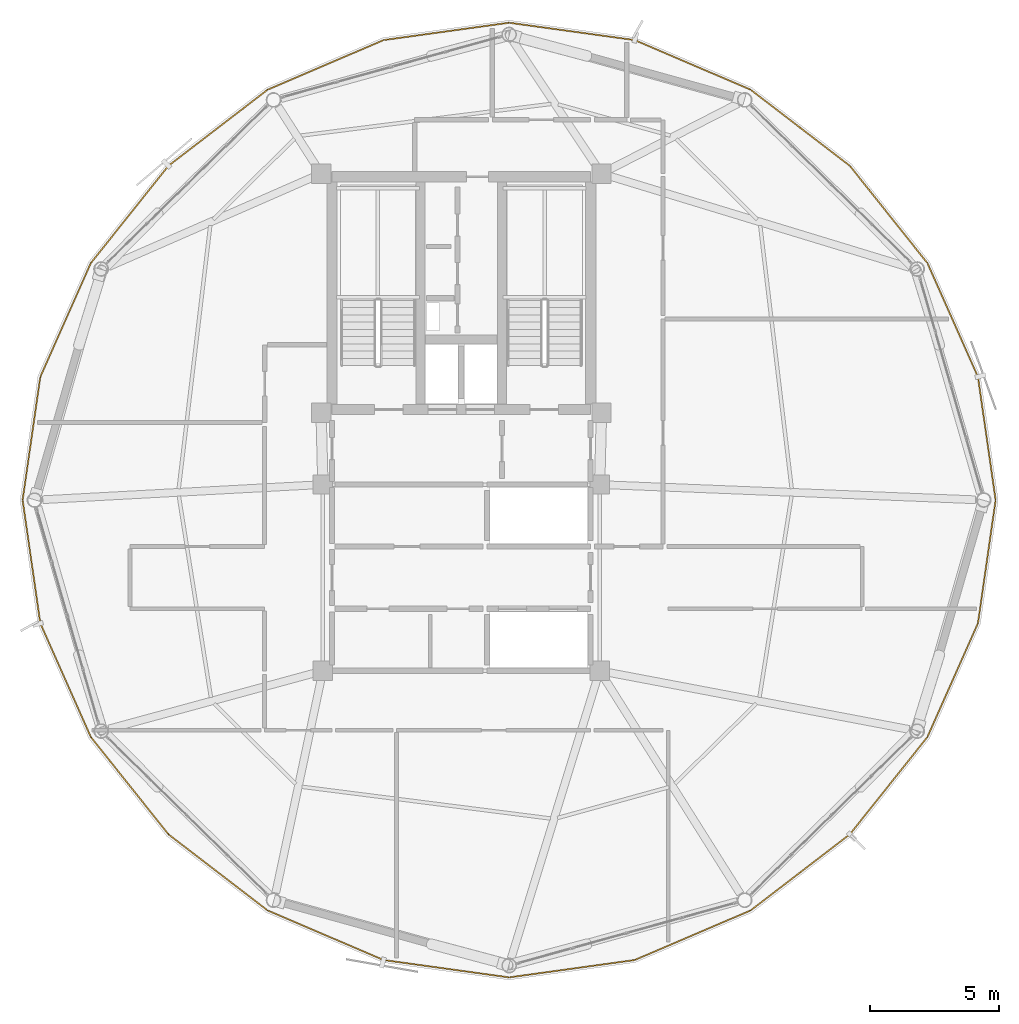
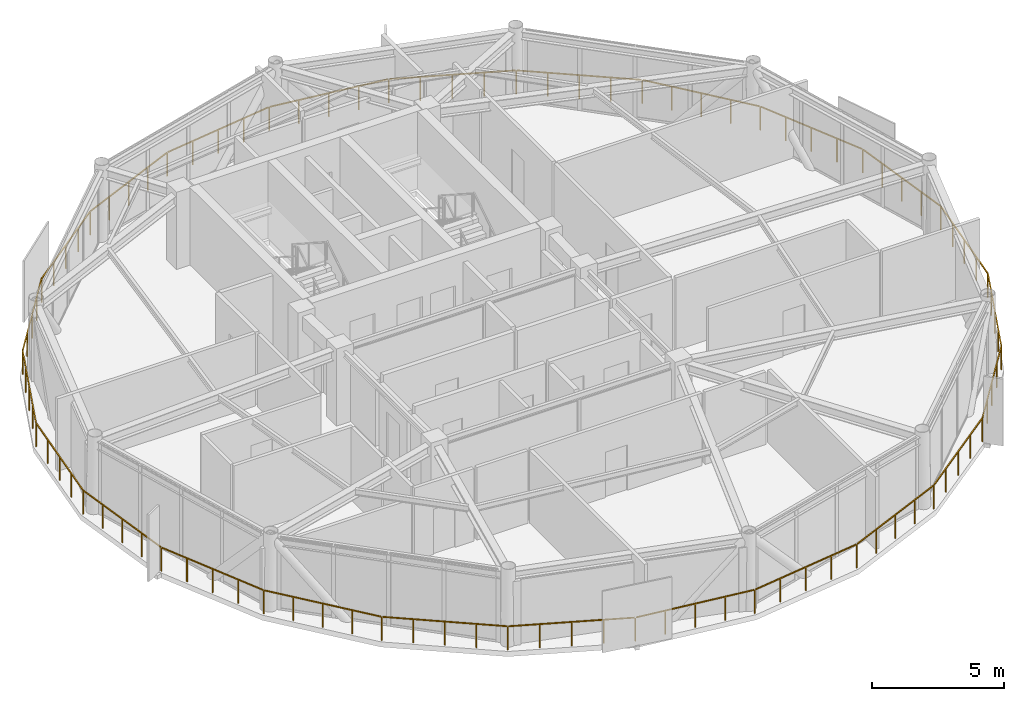
# One storey, part 25 of 26: 1 railing.
"""IFC4 building model written with IfcOpenShell, lengths in metres."""

from ifc_helpers import new_model, si_unit, direction, frame, origin, origin_2d, place, context, subcontext, project, spatial, rectangle, extrude, material, type_object, element, save


model = new_model("IFC4")

# Units and contexts
model_context = context("Model", 3, precision=1e-05, world=origin(), true_north=direction((0.0, 1.0)))
body_context = subcontext(model_context, "Body", "Model", "MODEL_VIEW")
ifc_project = project(units=[si_unit("LENGTHUNIT", "METRE"), si_unit("AREAUNIT", "SQUARE_METRE"), si_unit("VOLUMEUNIT", "CUBIC_METRE"), si_unit("PLANEANGLEUNIT", "RADIAN"), si_unit("MASSUNIT", "GRAM", prefix="KILO")], contexts=[model_context])

# Site, building, storey
site_placement = place(None, origin())
site = spatial("IfcSite", under=ifc_project, at=site_placement, CompositionType="ELEMENT")
building_placement = place(site_placement, origin())
building = spatial("IfcBuilding", under=site, at=building_placement, Name="Varnakorn Sky Granary", CompositionType="ELEMENT")
storey_placement = place(building_placement, frame((0.0, 0.0, 256.199951171875)))
storey = spatial("IfcBuildingStorey", under=building, at=storey_placement, Name="L65", CompositionType="ELEMENT", Elevation=256.199951171875)

# Railing
ifc_material = material(Name="Anodised Bronze Aluminium Alloy 6063-T6", Category="aluminium")
railing_type = type_object("IfcRailingType", Name="RL-BAL-1120", PredefinedType="BALUSTRADE", material=ifc_material)
railing_placement = place(storey_placement, frame((23.658935546875, 0.0, 0.0)))
element("IfcRailing", 1, at=railing_placement, inside=storey, type_object=railing_type, Name="Perimeter Slab-Edge Safety Guard L65", PredefinedType="BALUSTRADE", context=body_context, shape_type="SweptSolid", body=[
    extrude(rectangle(XDim=0.048095703125, YDim=0.048095703125, at=origin_2d()), frame((-0.00390625, -0.02783203125, 1.09619140625), z_axis=(-0.142124586086, -0.989848777354, 0.0), x_axis=(0.989848777354, -0.142124586086, 0.0)), (0.0, 0.0, 1.0), 4.755615234375),
    extrude(rectangle(XDim=0.048095703125, YDim=0.048095703125, at=origin_2d()), frame((-0.6953125, -4.788330078125, 1.09619140625), z_axis=(-0.405846393428, -0.913941302788, 0.0), x_axis=(0.913941302788, -0.405846393428, 0.0)), (0.0, 0.0, 1.0), 4.7529296875),
    extrude(rectangle(XDim=0.048095703125, YDim=0.048095703125, at=origin_2d()), frame((-2.65283203125, -9.1796875, 1.09619140625), z_axis=(-0.62333313099, -0.78195639764, 0.0), x_axis=(0.78195639764, -0.62333313099, 0.0)), (0.0, 0.0, 1.0), 4.7568359375),
    extrude(rectangle(XDim=0.048095703125, YDim=0.048095703125, at=origin_2d()), frame((-5.65771484375, -12.938232421875, 1.09619140625), z_axis=(-0.793360921177, -0.608751549279, 0.0), x_axis=(0.608751549279, -0.793360921177, 0.0)), (0.0, 0.0, 1.0), 4.7802734375),
    extrude(rectangle(XDim=0.048095703125, YDim=0.048095703125, at=origin_2d()), frame((-9.498046875, -15.876220703125, 1.09619140625), z_axis=(-0.919416870558, -0.393284398537, 0.0), x_axis=(0.393284398537, -0.919416870558, 0.0)), (0.0, 0.0, 1.0), 4.817626953125),
    extrude(rectangle(XDim=0.048095703125, YDim=0.048095703125, at=origin_2d()), frame((-13.981201171875, -17.785888671875, 1.09619140625), z_axis=(-0.990554758894, -0.137117721804, 0.0), x_axis=(0.137117721804, -0.990554758894, 0.0)), (0.0, 0.0, 1.0), 4.845703125),
    extrude(rectangle(XDim=0.048095703125, YDim=0.048095703125, at=origin_2d()), frame((-18.836669921875, -18.4501953125, 1.09619140625), z_axis=(-0.990555695253, 0.137110957264, 0.0), x_axis=(-0.137110957264, -0.990555695253, 0.0)), (0.0, 0.0, 1.0), 4.845947265625),
    extrude(rectangle(XDim=0.048095703125, YDim=0.048095703125, at=origin_2d()), frame((-23.690185546875, -17.77099609375, 1.09619140625), z_axis=(-0.919416870558, 0.393284398537, 0.0), x_axis=(-0.393284398537, -0.919416870558, 0.0)), (0.0, 0.0, 1.0), 4.817626953125),
    extrude(rectangle(XDim=0.048095703125, YDim=0.048095703125, at=origin_2d()), frame((-28.167724609375, -15.84814453125, 1.09619140625), z_axis=(-0.793360921177, 0.608751549279, 0.0), x_axis=(-0.608751549279, -0.793360921177, 0.0)), (0.0, 0.0, 1.0), 4.7802734375),
    extrude(rectangle(XDim=0.048095703125, YDim=0.048095703125, at=origin_2d()), frame((-31.999755859375, -12.899169921875, 1.09619140625), z_axis=(-0.62333313099, 0.78195639764, 0.0), x_axis=(-0.78195639764, -0.62333313099, 0.0)), (0.0, 0.0, 1.0), 4.7568359375),
    extrude(rectangle(XDim=0.048095703125, YDim=0.048095703125, at=origin_2d()), frame((-34.993896484375, -9.132080078125, 1.09619140625), z_axis=(-0.405846393428, 0.913941302788, 0.0), x_axis=(-0.913941302788, -0.405846393428, 0.0)), (0.0, 0.0, 1.0), 4.7529296875),
    extrude(rectangle(XDim=0.048095703125, YDim=0.048095703125, at=origin_2d()), frame((-36.93798828125, -4.73486328125, 1.09619140625), z_axis=(-0.142124586086, 0.989848777354, 0.0), x_axis=(-0.989848777354, -0.142124586086, 0.0)), (0.0, 0.0, 1.0), 4.755615234375),
    extrude(rectangle(XDim=0.048095703125, YDim=0.048095703125, at=origin_2d()), frame((-37.614013671875, 0.02783203125, 1.09619140625), z_axis=(0.142124586086, 0.989848777354, 0.0), x_axis=(-0.989848777354, 0.142124586086, 0.0)), (0.0, 0.0, 1.0), 4.755615234375),
    extrude(rectangle(XDim=0.048095703125, YDim=0.048095703125, at=origin_2d()), frame((-36.922607421875, 4.788330078125, 1.09619140625), z_axis=(0.405846393428, 0.913941302788, 0.0), x_axis=(-0.913941302788, 0.405846393428, 0.0)), (0.0, 0.0, 1.0), 4.7529296875),
    extrude(rectangle(XDim=0.048095703125, YDim=0.048095703125, at=origin_2d()), frame((-34.965087890625, 9.1796875, 1.09619140625), z_axis=(0.62333313099, 0.78195639764, 0.0), x_axis=(-0.78195639764, 0.62333313099, 0.0)), (0.0, 0.0, 1.0), 4.7568359375),
    extrude(rectangle(XDim=0.048095703125, YDim=0.048095703125, at=origin_2d()), frame((-31.960205078125, 12.938232421875, 1.09619140625), z_axis=(0.793360921177, 0.608751549279, 0.0), x_axis=(-0.608751549279, 0.793360921177, 0.0)), (0.0, 0.0, 1.0), 4.7802734375),
    extrude(rectangle(XDim=0.048095703125, YDim=0.048095703125, at=origin_2d()), frame((-28.119873046875, 15.876220703125, 1.09619140625), z_axis=(0.919416870558, 0.393284398537, 0.0), x_axis=(-0.393284398537, 0.919416870558, 0.0)), (0.0, 0.0, 1.0), 4.817626953125),
    extrude(rectangle(XDim=0.048095703125, YDim=0.048095703125, at=origin_2d()), frame((-23.63671875, 17.785888671875, 1.09619140625), z_axis=(0.990555695253, 0.137110957264, 0.0), x_axis=(-0.137110957264, 0.990555695253, 0.0)), (0.0, 0.0, 1.0), 4.845947265625),
    extrude(rectangle(XDim=0.048095703125, YDim=0.048095703125, at=origin_2d()), frame((-18.781005859375, 18.4501953125, 1.09619140625), z_axis=(0.990554758894, -0.137117721804, 0.0), x_axis=(0.137117721804, 0.990554758894, 0.0)), (0.0, 0.0, 1.0), 4.845703125),
    extrude(rectangle(XDim=0.048095703125, YDim=0.048095703125, at=origin_2d()), frame((-13.927734375, 17.77099609375, 1.09619140625), z_axis=(0.919416870558, -0.393284398537, 0.0), x_axis=(0.393284398537, 0.919416870558, 0.0)), (0.0, 0.0, 1.0), 4.817626953125),
    extrude(rectangle(XDim=0.048095703125, YDim=0.048095703125, at=origin_2d()), frame((-9.4501953125, 15.84814453125, 1.09619140625), z_axis=(0.793360921177, -0.608751549279, 0.0), x_axis=(0.608751549279, 0.793360921177, 0.0)), (0.0, 0.0, 1.0), 4.7802734375),
    extrude(rectangle(XDim=0.048095703125, YDim=0.048095703125, at=origin_2d()), frame((-5.6181640625, 12.899169921875, 1.09619140625), z_axis=(0.62333313099, -0.78195639764, 0.0), x_axis=(0.78195639764, 0.62333313099, 0.0)), (0.0, 0.0, 1.0), 4.7568359375),
    extrude(rectangle(XDim=0.048095703125, YDim=0.048095703125, at=origin_2d()), frame((-2.6240234375, 9.132080078125, 1.09619140625), z_axis=(0.405846393428, -0.913941302788, 0.0), x_axis=(0.913941302788, 0.405846393428, 0.0)), (0.0, 0.0, 1.0), 4.7529296875),
    extrude(rectangle(XDim=0.048095703125, YDim=0.048095703125, at=origin_2d()), frame((-0.679931640625, 4.73486328125, 1.09619140625), z_axis=(0.142124586086, -0.989848777354, 0.0), x_axis=(0.989848777354, 0.142124586086, 0.0)), (0.0, 0.0, 1.0), 4.755615234375),
    extrude(rectangle(XDim=0.0419921875, YDim=0.0419921875, at=origin_2d()), origin(), (0.0, 0.0, 1.0), 1.068115234375),
    extrude(rectangle(XDim=0.0419921875, YDim=0.0419921875, at=origin_2d()), frame((-0.1708984375, -1.190673828125, 0.0)), (0.0, 0.0, 1.0), 1.068115234375),
    extrude(rectangle(XDim=0.0419921875, YDim=0.0419921875, at=origin_2d()), frame((-0.341796875, -2.38134765625, 0.0)), (0.0, 0.0, 1.0), 1.068115234375),
    extrude(rectangle(XDim=0.0419921875, YDim=0.0419921875, at=origin_2d()), frame((-0.512939453125, -3.572021484375, 0.0)), (0.0, 0.0, 1.0), 1.068115234375),
    extrude(rectangle(XDim=0.0419921875, YDim=0.0419921875, at=origin_2d()), frame((-0.683837890625, -4.7626953125, 0.0)), (0.0, 0.0, 1.0), 1.068115234375),
    extrude(rectangle(XDim=0.0419921875, YDim=0.0419921875, at=origin_2d()), frame((-1.171875, -5.861328125, 0.0)), (0.0, 0.0, 1.0), 1.068115234375),
    extrude(rectangle(XDim=0.0419921875, YDim=0.0419921875, at=origin_2d()), frame((-1.65966796875, -6.960205078125, 0.0)), (0.0, 0.0, 1.0), 1.068115234375),
    extrude(rectangle(XDim=0.0419921875, YDim=0.0419921875, at=origin_2d()), frame((-2.1474609375, -8.05908203125, 0.0)), (0.0, 0.0, 1.0), 1.068115234375),
    extrude(rectangle(XDim=0.0419921875, YDim=0.0419921875, at=origin_2d()), frame((-2.635498046875, -9.15771484375, 0.0)), (0.0, 0.0, 1.0), 1.068115234375),
    extrude(rectangle(XDim=0.0419921875, YDim=0.0419921875, at=origin_2d()), frame((-3.385498046875, -10.0986328125, 0.0)), (0.0, 0.0, 1.0), 1.068115234375),
    extrude(rectangle(XDim=0.0419921875, YDim=0.0419921875, at=origin_2d()), frame((-4.135498046875, -11.03955078125, 0.0)), (0.0, 0.0, 1.0), 1.068115234375),
    extrude(rectangle(XDim=0.0419921875, YDim=0.0419921875, at=origin_2d()), frame((-4.885498046875, -11.980224609375, 0.0)), (0.0, 0.0, 1.0), 1.068115234375),
    extrude(rectangle(XDim=0.0419921875, YDim=0.0419921875, at=origin_2d()), frame((-5.635498046875, -12.921142578125, 0.0)), (0.0, 0.0, 1.0), 1.068115234375),
    extrude(rectangle(XDim=0.0419921875, YDim=0.0419921875, at=origin_2d()), frame((-6.5947265625, -13.6572265625, 0.0)), (0.0, 0.0, 1.0), 1.068115234375),
    extrude(rectangle(XDim=0.0419921875, YDim=0.0419921875, at=origin_2d()), frame((-7.553955078125, -14.39306640625, 0.0)), (0.0, 0.0, 1.0), 1.068115234375),
    extrude(rectangle(XDim=0.0419921875, YDim=0.0419921875, at=origin_2d()), frame((-8.51318359375, -15.129150390625, 0.0)), (0.0, 0.0, 1.0), 1.068115234375),
    extrude(rectangle(XDim=0.0419921875, YDim=0.0419921875, at=origin_2d()), frame((-9.472412109375, -15.865234375, 0.0)), (0.0, 0.0, 1.0), 1.068115234375),
    extrude(rectangle(XDim=0.0419921875, YDim=0.0419921875, at=origin_2d()), frame((-10.5927734375, -16.344482421875, 0.0)), (0.0, 0.0, 1.0), 1.068115234375),
    extrude(rectangle(XDim=0.0419921875, YDim=0.0419921875, at=origin_2d()), frame((-11.712890625, -16.82373046875, 0.0)), (0.0, 0.0, 1.0), 1.068115234375),
    extrude(rectangle(XDim=0.0419921875, YDim=0.0419921875, at=origin_2d()), frame((-12.8330078125, -17.302734375, 0.0)), (0.0, 0.0, 1.0), 1.068115234375),
    extrude(rectangle(XDim=0.0419921875, YDim=0.0419921875, at=origin_2d()), frame((-13.953369140625, -17.781982421875, 0.0)), (0.0, 0.0, 1.0), 1.068115234375),
    extrude(rectangle(XDim=0.0419921875, YDim=0.0419921875, at=origin_2d()), frame((-15.167236328125, -17.949951171875, 0.0)), (0.0, 0.0, 1.0), 1.068115234375),
    extrude(rectangle(XDim=0.0419921875, YDim=0.0419921875, at=origin_2d()), frame((-16.381103515625, -18.1181640625, 0.0)), (0.0, 0.0, 1.0), 1.068115234375),
    extrude(rectangle(XDim=0.0419921875, YDim=0.0419921875, at=origin_2d()), frame((-17.594970703125, -18.2861328125, 0.0)), (0.0, 0.0, 1.0), 1.068115234375),
    extrude(rectangle(XDim=0.0419921875, YDim=0.0419921875, at=origin_2d()), frame((-18.808837890625, -18.4541015625, 0.0)), (0.0, 0.0, 1.0), 1.068115234375),
    extrude(rectangle(XDim=0.0419921875, YDim=0.0419921875, at=origin_2d()), frame((-20.022705078125, -18.2861328125, 0.0)), (0.0, 0.0, 1.0), 1.068115234375),
    extrude(rectangle(XDim=0.0419921875, YDim=0.0419921875, at=origin_2d()), frame((-21.23681640625, -18.1181640625, 0.0)), (0.0, 0.0, 1.0), 1.068115234375),
    extrude(rectangle(XDim=0.0419921875, YDim=0.0419921875, at=origin_2d()), frame((-22.45068359375, -17.949951171875, 0.0)), (0.0, 0.0, 1.0), 1.068115234375),
    extrude(rectangle(XDim=0.0419921875, YDim=0.0419921875, at=origin_2d()), frame((-23.66455078125, -17.781982421875, 0.0)), (0.0, 0.0, 1.0), 1.068115234375),
    extrude(rectangle(XDim=0.0419921875, YDim=0.0419921875, at=origin_2d()), frame((-24.78466796875, -17.302734375, 0.0)), (0.0, 0.0, 1.0), 1.068115234375),
    extrude(rectangle(XDim=0.0419921875, YDim=0.0419921875, at=origin_2d()), frame((-25.905029296875, -16.82373046875, 0.0)), (0.0, 0.0, 1.0), 1.068115234375),
    extrude(rectangle(XDim=0.0419921875, YDim=0.0419921875, at=origin_2d()), frame((-27.025390625, -16.344482421875, 0.0)), (0.0, 0.0, 1.0), 1.068115234375),
    extrude(rectangle(XDim=0.0419921875, YDim=0.0419921875, at=origin_2d()), frame((-28.1455078125, -15.865234375, 0.0)), (0.0, 0.0, 1.0), 1.068115234375),
    extrude(rectangle(XDim=0.0419921875, YDim=0.0419921875, at=origin_2d()), frame((-29.104736328125, -15.129150390625, 0.0)), (0.0, 0.0, 1.0), 1.068115234375),
    extrude(rectangle(XDim=0.0419921875, YDim=0.0419921875, at=origin_2d()), frame((-30.06396484375, -14.39306640625, 0.0)), (0.0, 0.0, 1.0), 1.068115234375),
    extrude(rectangle(XDim=0.0419921875, YDim=0.0419921875, at=origin_2d()), frame((-31.023193359375, -13.6572265625, 0.0)), (0.0, 0.0, 1.0), 1.068115234375),
    extrude(rectangle(XDim=0.0419921875, YDim=0.0419921875, at=origin_2d()), frame((-31.982421875, -12.921142578125, 0.0)), (0.0, 0.0, 1.0), 1.068115234375),
    extrude(rectangle(XDim=0.0419921875, YDim=0.0419921875, at=origin_2d()), frame((-32.732421875, -11.980224609375, 0.0)), (0.0, 0.0, 1.0), 1.068115234375),
    extrude(rectangle(XDim=0.0419921875, YDim=0.0419921875, at=origin_2d()), frame((-33.482421875, -11.03955078125, 0.0)), (0.0, 0.0, 1.0), 1.068115234375),
    extrude(rectangle(XDim=0.0419921875, YDim=0.0419921875, at=origin_2d()), frame((-34.232421875, -10.0986328125, 0.0)), (0.0, 0.0, 1.0), 1.068115234375),
    extrude(rectangle(XDim=0.0419921875, YDim=0.0419921875, at=origin_2d()), frame((-34.982421875, -9.15771484375, 0.0)), (0.0, 0.0, 1.0), 1.068115234375),
    extrude(rectangle(XDim=0.0419921875, YDim=0.0419921875, at=origin_2d()), frame((-35.47021484375, -8.05908203125, 0.0)), (0.0, 0.0, 1.0), 1.068115234375),
    extrude(rectangle(XDim=0.0419921875, YDim=0.0419921875, at=origin_2d()), frame((-35.958251953125, -6.960205078125, 0.0)), (0.0, 0.0, 1.0), 1.068115234375),
    extrude(rectangle(XDim=0.0419921875, YDim=0.0419921875, at=origin_2d()), frame((-36.4462890625, -5.861328125, 0.0)), (0.0, 0.0, 1.0), 1.068115234375),
    extrude(rectangle(XDim=0.0419921875, YDim=0.0419921875, at=origin_2d()), frame((-36.93408203125, -4.7626953125, 0.0)), (0.0, 0.0, 1.0), 1.068115234375),
    extrude(rectangle(XDim=0.0419921875, YDim=0.0419921875, at=origin_2d()), frame((-37.10498046875, -3.572021484375, 0.0)), (0.0, 0.0, 1.0), 1.068115234375),
    extrude(rectangle(XDim=0.0419921875, YDim=0.0419921875, at=origin_2d()), frame((-37.27587890625, -2.38134765625, 0.0)), (0.0, 0.0, 1.0), 1.068115234375),
    extrude(rectangle(XDim=0.0419921875, YDim=0.0419921875, at=origin_2d()), frame((-37.447021484375, -1.190673828125, 0.0)), (0.0, 0.0, 1.0), 1.068115234375),
    extrude(rectangle(XDim=0.0419921875, YDim=0.0419921875, at=origin_2d()), frame((-37.617919921875, 0.0, 0.0)), (0.0, 0.0, 1.0), 1.068115234375),
    extrude(rectangle(XDim=0.0419921875, YDim=0.0419921875, at=origin_2d()), frame((-37.447021484375, 1.190673828125, 0.0)), (0.0, 0.0, 1.0), 1.068115234375),
    extrude(rectangle(XDim=0.0419921875, YDim=0.0419921875, at=origin_2d()), frame((-37.27587890625, 2.38134765625, 0.0)), (0.0, 0.0, 1.0), 1.068115234375),
    extrude(rectangle(XDim=0.0419921875, YDim=0.0419921875, at=origin_2d()), frame((-37.10498046875, 3.572021484375, 0.0)), (0.0, 0.0, 1.0), 1.068115234375),
    extrude(rectangle(XDim=0.0419921875, YDim=0.0419921875, at=origin_2d()), frame((-36.93408203125, 4.7626953125, 0.0)), (0.0, 0.0, 1.0), 1.068115234375),
    extrude(rectangle(XDim=0.0419921875, YDim=0.0419921875, at=origin_2d()), frame((-36.4462890625, 5.861328125, 0.0)), (0.0, 0.0, 1.0), 1.068115234375),
    extrude(rectangle(XDim=0.0419921875, YDim=0.0419921875, at=origin_2d()), frame((-35.958251953125, 6.960205078125, 0.0)), (0.0, 0.0, 1.0), 1.068115234375),
    extrude(rectangle(XDim=0.0419921875, YDim=0.0419921875, at=origin_2d()), frame((-35.47021484375, 8.05908203125, 0.0)), (0.0, 0.0, 1.0), 1.068115234375),
    extrude(rectangle(XDim=0.0419921875, YDim=0.0419921875, at=origin_2d()), frame((-34.982421875, 9.15771484375, 0.0)), (0.0, 0.0, 1.0), 1.068115234375),
    extrude(rectangle(XDim=0.0419921875, YDim=0.0419921875, at=origin_2d()), frame((-34.232421875, 10.0986328125, 0.0)), (0.0, 0.0, 1.0), 1.068115234375),
    extrude(rectangle(XDim=0.0419921875, YDim=0.0419921875, at=origin_2d()), frame((-33.482421875, 11.03955078125, 0.0)), (0.0, 0.0, 1.0), 1.068115234375),
    extrude(rectangle(XDim=0.0419921875, YDim=0.0419921875, at=origin_2d()), frame((-32.732421875, 11.980224609375, 0.0)), (0.0, 0.0, 1.0), 1.068115234375),
    extrude(rectangle(XDim=0.0419921875, YDim=0.0419921875, at=origin_2d()), frame((-31.982421875, 12.921142578125, 0.0)), (0.0, 0.0, 1.0), 1.068115234375),
    extrude(rectangle(XDim=0.0419921875, YDim=0.0419921875, at=origin_2d()), frame((-31.023193359375, 13.6572265625, 0.0)), (0.0, 0.0, 1.0), 1.068115234375),
    extrude(rectangle(XDim=0.0419921875, YDim=0.0419921875, at=origin_2d()), frame((-30.06396484375, 14.39306640625, 0.0)), (0.0, 0.0, 1.0), 1.068115234375),
    extrude(rectangle(XDim=0.0419921875, YDim=0.0419921875, at=origin_2d()), frame((-29.104736328125, 15.129150390625, 0.0)), (0.0, 0.0, 1.0), 1.068115234375),
    extrude(rectangle(XDim=0.0419921875, YDim=0.0419921875, at=origin_2d()), frame((-28.1455078125, 15.865234375, 0.0)), (0.0, 0.0, 1.0), 1.068115234375),
    extrude(rectangle(XDim=0.0419921875, YDim=0.0419921875, at=origin_2d()), frame((-27.025390625, 16.344482421875, 0.0)), (0.0, 0.0, 1.0), 1.068115234375),
    extrude(rectangle(XDim=0.0419921875, YDim=0.0419921875, at=origin_2d()), frame((-25.905029296875, 16.82373046875, 0.0)), (0.0, 0.0, 1.0), 1.068115234375),
    extrude(rectangle(XDim=0.0419921875, YDim=0.0419921875, at=origin_2d()), frame((-24.78466796875, 17.302734375, 0.0)), (0.0, 0.0, 1.0), 1.068115234375),
    extrude(rectangle(XDim=0.0419921875, YDim=0.0419921875, at=origin_2d()), frame((-23.66455078125, 17.781982421875, 0.0)), (0.0, 0.0, 1.0), 1.068115234375),
    extrude(rectangle(XDim=0.0419921875, YDim=0.0419921875, at=origin_2d()), frame((-22.45068359375, 17.949951171875, 0.0)), (0.0, 0.0, 1.0), 1.068115234375),
    extrude(rectangle(XDim=0.0419921875, YDim=0.0419921875, at=origin_2d()), frame((-21.23681640625, 18.1181640625, 0.0)), (0.0, 0.0, 1.0), 1.068115234375),
    extrude(rectangle(XDim=0.0419921875, YDim=0.0419921875, at=origin_2d()), frame((-20.022705078125, 18.2861328125, 0.0)), (0.0, 0.0, 1.0), 1.068115234375),
    extrude(rectangle(XDim=0.0419921875, YDim=0.0419921875, at=origin_2d()), frame((-18.808837890625, 18.4541015625, 0.0)), (0.0, 0.0, 1.0), 1.068115234375),
    extrude(rectangle(XDim=0.0419921875, YDim=0.0419921875, at=origin_2d()), frame((-17.594970703125, 18.2861328125, 0.0)), (0.0, 0.0, 1.0), 1.068115234375),
    extrude(rectangle(XDim=0.0419921875, YDim=0.0419921875, at=origin_2d()), frame((-16.381103515625, 18.1181640625, 0.0)), (0.0, 0.0, 1.0), 1.068115234375),
    extrude(rectangle(XDim=0.0419921875, YDim=0.0419921875, at=origin_2d()), frame((-15.167236328125, 17.949951171875, 0.0)), (0.0, 0.0, 1.0), 1.068115234375),
    extrude(rectangle(XDim=0.0419921875, YDim=0.0419921875, at=origin_2d()), frame((-13.953369140625, 17.781982421875, 0.0)), (0.0, 0.0, 1.0), 1.068115234375),
    extrude(rectangle(XDim=0.0419921875, YDim=0.0419921875, at=origin_2d()), frame((-12.8330078125, 17.302734375, 0.0)), (0.0, 0.0, 1.0), 1.068115234375),
    extrude(rectangle(XDim=0.0419921875, YDim=0.0419921875, at=origin_2d()), frame((-11.712890625, 16.82373046875, 0.0)), (0.0, 0.0, 1.0), 1.068115234375),
    extrude(rectangle(XDim=0.0419921875, YDim=0.0419921875, at=origin_2d()), frame((-10.5927734375, 16.344482421875, 0.0)), (0.0, 0.0, 1.0), 1.068115234375),
    extrude(rectangle(XDim=0.0419921875, YDim=0.0419921875, at=origin_2d()), frame((-9.472412109375, 15.865234375, 0.0)), (0.0, 0.0, 1.0), 1.068115234375),
    extrude(rectangle(XDim=0.0419921875, YDim=0.0419921875, at=origin_2d()), frame((-8.51318359375, 15.129150390625, 0.0)), (0.0, 0.0, 1.0), 1.068115234375),
    extrude(rectangle(XDim=0.0419921875, YDim=0.0419921875, at=origin_2d()), frame((-7.553955078125, 14.39306640625, 0.0)), (0.0, 0.0, 1.0), 1.068115234375),
    extrude(rectangle(XDim=0.0419921875, YDim=0.0419921875, at=origin_2d()), frame((-6.5947265625, 13.6572265625, 0.0)), (0.0, 0.0, 1.0), 1.068115234375),
    extrude(rectangle(XDim=0.0419921875, YDim=0.0419921875, at=origin_2d()), frame((-5.635498046875, 12.921142578125, 0.0)), (0.0, 0.0, 1.0), 1.068115234375),
    extrude(rectangle(XDim=0.0419921875, YDim=0.0419921875, at=origin_2d()), frame((-4.885498046875, 11.980224609375, 0.0)), (0.0, 0.0, 1.0), 1.068115234375),
    extrude(rectangle(XDim=0.0419921875, YDim=0.0419921875, at=origin_2d()), frame((-4.135498046875, 11.03955078125, 0.0)), (0.0, 0.0, 1.0), 1.068115234375),
    extrude(rectangle(XDim=0.0419921875, YDim=0.0419921875, at=origin_2d()), frame((-3.385498046875, 10.0986328125, 0.0)), (0.0, 0.0, 1.0), 1.068115234375),
    extrude(rectangle(XDim=0.0419921875, YDim=0.0419921875, at=origin_2d()), frame((-2.635498046875, 9.15771484375, 0.0)), (0.0, 0.0, 1.0), 1.068115234375),
    extrude(rectangle(XDim=0.0419921875, YDim=0.0419921875, at=origin_2d()), frame((-2.1474609375, 8.05908203125, 0.0)), (0.0, 0.0, 1.0), 1.068115234375),
    extrude(rectangle(XDim=0.0419921875, YDim=0.0419921875, at=origin_2d()), frame((-1.65966796875, 6.960205078125, 0.0)), (0.0, 0.0, 1.0), 1.068115234375),
    extrude(rectangle(XDim=0.0419921875, YDim=0.0419921875, at=origin_2d()), frame((-1.171875, 5.861328125, 0.0)), (0.0, 0.0, 1.0), 1.068115234375),
    extrude(rectangle(XDim=0.0419921875, YDim=0.0419921875, at=origin_2d()), frame((-0.683837890625, 4.7626953125, 0.0)), (0.0, 0.0, 1.0), 1.068115234375),
    extrude(rectangle(XDim=0.0419921875, YDim=0.0419921875, at=origin_2d()), frame((-0.512939453125, 3.572021484375, 0.0)), (0.0, 0.0, 1.0), 1.068115234375),
    extrude(rectangle(XDim=0.0419921875, YDim=0.0419921875, at=origin_2d()), frame((-0.341796875, 2.38134765625, 0.0)), (0.0, 0.0, 1.0), 1.068115234375),
    extrude(rectangle(XDim=0.0419921875, YDim=0.0419921875, at=origin_2d()), frame((-0.1708984375, 1.190673828125, 0.0)), (0.0, 0.0, 1.0), 1.068115234375),
])

save(model, "model.ifc")
